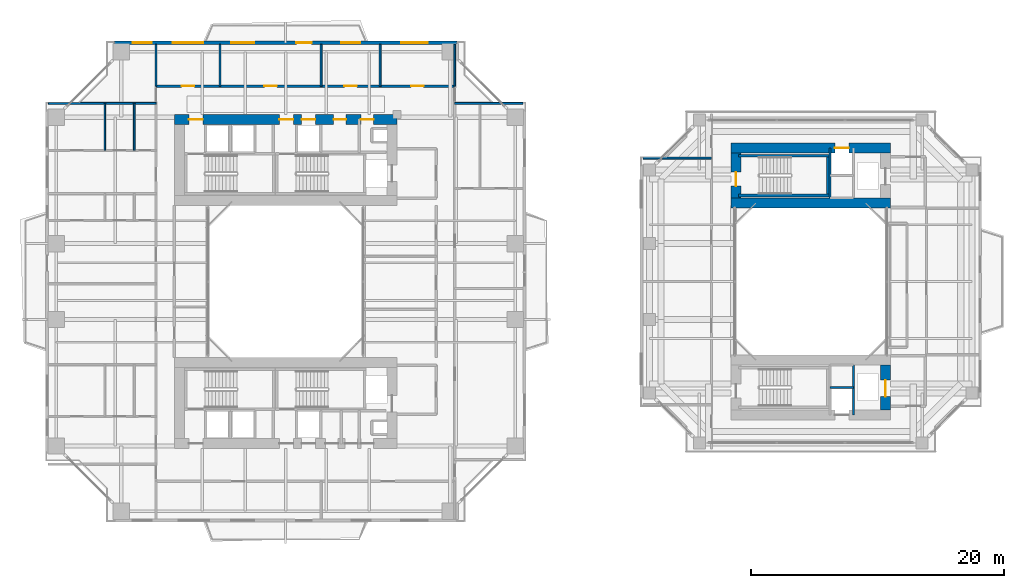
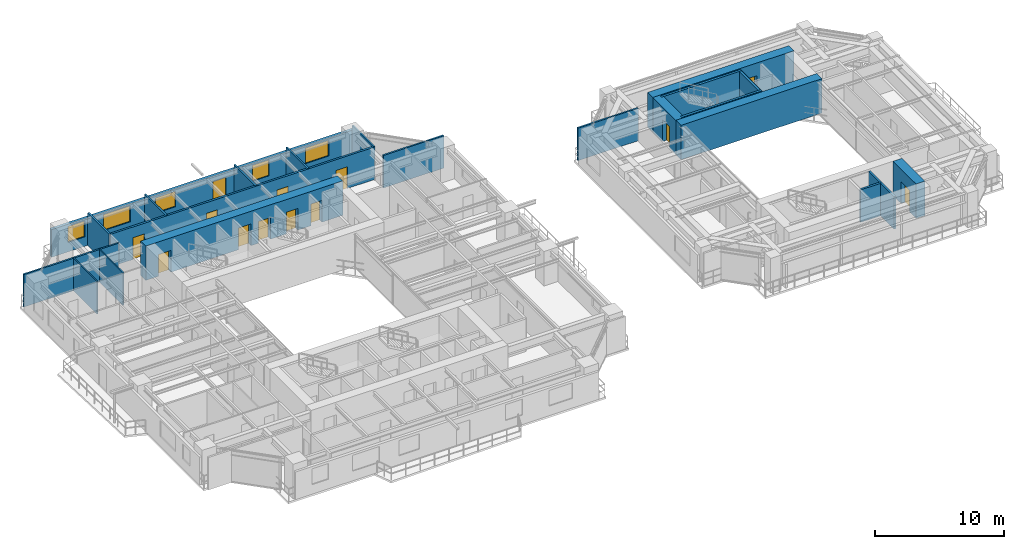
# One storey, part 17 of 23: 23 walls, 13 doors, 5 windows, 18 openings.
"""IFC4 building model written with IfcOpenShell, lengths in metres."""

import ifcopenshell
import ifcopenshell.guid

model = None  # the IFC model being written
_history = None  # IfcOwnerHistory: only IFC2X3 demands one
_inside = {}  # id of a spatial element -> (the spatial element, [elements in it])
_under = {}  # id of a project, library or spatial element -> (it, [spatial elements below it])
_declared = {}  # id of a project -> (the project, [libraries it declares])
_typed = {}  # id of a type object -> (the type object, [elements of that type])
_made_of = {}  # id of a material, layer set ... -> (it, [elements and type objects made of it])


def new_model(schema):
    """Start an empty IFC model of exactly this schema.

    Asked for "IFC4X3", IfcOpenShell would pick the latest addendum, in which some entities
    have other attributes; the version numbers below select the first issue.
    IFC2X3 requires an IfcOwnerHistory on every rooted entity: one is made here for all.
    """
    global model, _history
    if schema == "IFC4X3":
        model = ifcopenshell.file(schema_version=(4, 3, 0, 0))
    else:
        model = ifcopenshell.file(schema=schema)
    _inside.clear()
    _under.clear()
    _declared.clear()
    _typed.clear()
    _made_of.clear()
    _history = None
    if model.schema == "IFC2X3":
        org = make("IfcOrganization", Name="unknown")
        user = make(
            "IfcPersonAndOrganization",
            ThePerson=make("IfcPerson", FamilyName="unknown"),
            TheOrganization=org,
        )
        app = make(
            "IfcApplication",
            ApplicationDeveloper=org,
            Version="unknown",
            ApplicationFullName="unknown",
            ApplicationIdentifier="unknown",
        )
        _history = make(
            "IfcOwnerHistory",
            OwningUser=user,
            OwningApplication=app,
            ChangeAction="ADDED",
            CreationDate=0,
        )
    return model


def make(cls, **values):
    """One entity of the class cls with the attributes given. An attribute that is None is left unset."""
    return model.create_entity(
        cls, **{name: value for name, value in values.items() if value is not None}
    )


def rooted(cls, **values):
    """An entity with a GlobalId (a new one), such as an element, a storey or a relation."""
    return make(cls, GlobalId=ifcopenshell.guid.new(), OwnerHistory=_history, **values)


def si_unit(unit_type, name, prefix=None):
    """IfcSIUnit, for example si_unit("LENGTHUNIT", "METRE", prefix="MILLI")."""
    return make("IfcSIUnit", UnitType=unit_type, Prefix=prefix, Name=name)


def assignment(units):
    """IfcUnitAssignment: the units of a project."""
    return None if units is None else make("IfcUnitAssignment", Units=units)


def point(xyz):
    """IfcCartesianPoint."""
    return None if xyz is None else make("IfcCartesianPoint", Coordinates=xyz)


def direction(xyz):
    """IfcDirection."""
    return None if xyz is None else make("IfcDirection", DirectionRatios=xyz)


def frame(location, z_axis=None, x_axis=None):
    """IfcAxis2Placement3D, a coordinate frame: its origin and axes. An axis left out is left unset."""
    return make(
        "IfcAxis2Placement3D",
        Location=point(location),
        Axis=direction(z_axis),
        RefDirection=direction(x_axis),
    )


def frame_2d(location, x_axis=None):
    """IfcAxis2Placement2D, a coordinate frame in the plane: its origin and x axis."""
    return make(
        "IfcAxis2Placement2D", Location=point(location), RefDirection=direction(x_axis)
    )


def origin():
    """The frame at (0, 0, 0) with its axes left unset."""
    return frame((0.0, 0.0, 0.0))


def place(relative_to, where):
    """IfcLocalPlacement: puts the frame where relative to a parent placement (None: the world)."""
    return make(
        "IfcLocalPlacement", PlacementRelTo=relative_to, RelativePlacement=where
    )


def context(
    kind, dimensions, precision=None, world=None, true_north=None, identifier=None
):
    """IfcGeometricRepresentationContext, for example the 3D "Model" context."""
    return make(
        "IfcGeometricRepresentationContext",
        ContextIdentifier=identifier,
        ContextType=kind,
        CoordinateSpaceDimension=dimensions,
        Precision=precision,
        WorldCoordinateSystem=world,
        TrueNorth=true_north,
    )


def subcontext(parent, identifier, kind, view, scale=None):
    """IfcGeometricRepresentationSubContext, for example "Body" below "Model"."""
    return make(
        "IfcGeometricRepresentationSubContext",
        ContextIdentifier=identifier,
        ContextType=kind,
        ParentContext=parent,
        TargetScale=scale,
        TargetView=view,
    )


def project(units=None, contexts=None):
    """IfcProject with its units and contexts."""
    return rooted(
        "IfcProject",
        Name="project",
        RepresentationContexts=contexts,
        UnitsInContext=assignment(units),
    )


def spatial(cls, under=None, at=None, **own):
    """A site, building, storey or space (cls), placed at a placement, below another one or the project."""
    s = rooted(cls, ObjectPlacement=at, **own)
    if under is not None:
        _under.setdefault(under.id(), (under, []))[1].append(s)
    return s


def profile(cls, at=None, kind="AREA", **sizes):
    """A parametric profile (cls). Its sizes go by their IFC names, for example OverallWidth=200.0."""
    return make(cls, ProfileType=kind, Position=at, **sizes)


def rectangle(**sizes):
    """IfcRectangleProfileDef."""
    return profile("IfcRectangleProfileDef", **sizes)


def extrude(swept, where, along, depth):
    """IfcExtrudedAreaSolid: the profile swept, set in the frame where, extruded along a direction by depth."""
    return make(
        "IfcExtrudedAreaSolid",
        SweptArea=swept,
        Position=where,
        ExtrudedDirection=direction(along),
        Depth=depth,
    )


def shape(context_of_items, identifier, shape_type, items):
    """IfcShapeRepresentation: the items that make up one representation, for example the "Body"."""
    return make(
        "IfcShapeRepresentation",
        ContextOfItems=context_of_items,
        RepresentationIdentifier=identifier,
        RepresentationType=shape_type,
        Items=items,
    )


def source(mapping_origin, context_of_items, identifier, shape_type, items):
    """IfcRepresentationMap: a shape defined once, which mapped items show again and again."""
    return make(
        "IfcRepresentationMap",
        MappingOrigin=mapping_origin,
        MappedRepresentation=shape(context_of_items, identifier, shape_type, items),
    )


def transform(
    local_origin,
    x_axis=None,
    y_axis=None,
    z_axis=None,
    scale=None,
    scale2=None,
    scale3=None,
    uniform=True,
):
    """IfcCartesianTransformationOperator3D, or its non-uniform kind. x_axis, y_axis, z_axis: its Axis1, 2, 3."""
    if uniform:
        return make(
            "IfcCartesianTransformationOperator3D",
            Axis1=direction(x_axis),
            Axis2=direction(y_axis),
            LocalOrigin=point(local_origin),
            Scale=scale,
            Axis3=direction(z_axis),
        )
    return make(
        "IfcCartesianTransformationOperator3DnonUniform",
        Axis1=direction(x_axis),
        Axis2=direction(y_axis),
        LocalOrigin=point(local_origin),
        Scale=scale,
        Axis3=direction(z_axis),
        Scale2=scale2,
        Scale3=scale3,
    )


def mapped(mapping_source, mapping_target):
    """IfcMappedItem: shows the shape of a source again, moved by a transform."""
    return make(
        "IfcMappedItem", MappingSource=mapping_source, MappingTarget=mapping_target
    )


def material(Name=None, Category=None):
    """IfcMaterial."""
    return make("IfcMaterial", Name=Name, Category=Category)


def layer(
    of_material, thickness, ventilated=None, Name=None, Category=None, Priority=None
):
    """IfcMaterialLayer: one layer of a wall or slab, of a material (None: an air gap)."""
    return make(
        "IfcMaterialLayer",
        Material=of_material,
        LayerThickness=thickness,
        IsVentilated=ventilated,
        Name=Name,
        Category=Category,
        Priority=Priority,
    )


def layer_set(layers, Name=None):
    """IfcMaterialLayerSet."""
    return make("IfcMaterialLayerSet", MaterialLayers=layers, LayerSetName=Name)


def made_of(thing, what):
    """Note that an element or type object is made of a material, layer set ...; save() writes the relation."""
    if what is not None:
        _made_of.setdefault(what.id(), (what, []))[1].append(thing)
    return thing


def type_object(cls, material=None, **own):
    """A type object (cls), such as IfcWallType, which elements share."""
    return made_of(rooted(cls, **own), material)


def element(
    cls,
    number,
    at=None,
    inside=None,
    cuts=None,
    type_object=None,
    material=None,
    context=None,
    identifier="Body",
    shape_type=None,
    held_by="IfcProductDefinitionShape",
    body=None,
    shapes=None,
    **own,
):
    """One element of the class cls, such as IfcWall. Its Tag is "e" and its number.

    at: its placement. inside: the storey or other place that contains it. cuts: it is an
    opening in that element (IfcRelVoidsElement). A single representation is given by context,
    identifier, shape_type and body (its items); several are given by shapes. held_by: the class
    of the entity that holds the representations. save() writes the other relations.
    """
    e = rooted(cls, Tag="e%d" % number, ObjectPlacement=at, **own)
    if body is not None:
        shapes = [shape(context, identifier, shape_type, body)]
    if shapes is not None:
        e.Representation = make(held_by, Representations=shapes)
    if inside is not None:
        _inside.setdefault(inside.id(), (inside, []))[1].append(e)
    if cuts is not None:
        rooted(
            "IfcRelVoidsElement", RelatingBuildingElement=cuts, RelatedOpeningElement=e
        )
    if type_object is not None:
        _typed.setdefault(type_object.id(), (type_object, []))[1].append(e)
    return made_of(e, material)


def fill(opening, filler):
    """IfcRelFillsElement: the door or window that sits in an opening."""
    return rooted(
        "IfcRelFillsElement",
        RelatingOpeningElement=opening,
        RelatedBuildingElement=filler,
    )


def aggregate(whole, parts):
    """IfcRelAggregates: a whole, such as a stair, and the parts it consists of."""
    return rooted("IfcRelAggregates", RelatingObject=whole, RelatedObjects=parts)


def save(model, path):
    """Write the relations noted so far, then the file.

    IfcRelAggregates (storeys below a building ...), IfcRelContainedInSpatialStructure (elements
    in a storey), IfcRelDefinesByType, IfcRelAssociatesMaterial and IfcRelDeclares: one each for
    every whole, place, type object, material and project.
    """
    for whole, parts in _under.values():
        aggregate(whole, parts)
    for where, things in _inside.values():
        rooted(
            "IfcRelContainedInSpatialStructure",
            RelatedElements=things,
            RelatingStructure=where,
        )
    for kind, things in _typed.values():
        rooted("IfcRelDefinesByType", RelatedObjects=things, RelatingType=kind)
    for what, things in _made_of.values():
        rooted("IfcRelAssociatesMaterial", RelatedObjects=things, RelatingMaterial=what)
    for by, libraries in _declared.values():
        rooted("IfcRelDeclares", RelatingContext=by, RelatedDefinitions=libraries)
    model.write(path)


model = new_model("IFC4")

# Units and contexts
model_context = context("Model", 3, precision=1e-05, world=origin(), true_north=direction((0.0, 1.0)))
body_context = subcontext(model_context, "Body", "Model", "MODEL_VIEW")
ifc_project = project(units=[si_unit("LENGTHUNIT", "METRE"), si_unit("AREAUNIT", "SQUARE_METRE"), si_unit("VOLUMEUNIT", "CUBIC_METRE"), si_unit("PLANEANGLEUNIT", "RADIAN"), si_unit("MASSUNIT", "GRAM", prefix="KILO"), si_unit("THERMODYNAMICTEMPERATUREUNIT", "KELVIN"), si_unit("POWERUNIT", "WATT")], contexts=[model_context])

# Site, building, storey
site_placement = place(None, origin())
site = spatial("IfcSite", under=ifc_project, at=site_placement, CompositionType="ELEMENT")
building_placement = place(site_placement, origin())
building = spatial("IfcBuilding", under=site, at=building_placement, Name="Qiaomeng Ring Towers", CompositionType="ELEMENT")
storey_placement = place(building_placement, frame((0.0, 0.0, 66.5)))
storey = spatial("IfcBuildingStorey", under=building, at=storey_placement, Name="L18", CompositionType="ELEMENT", Elevation=66.5)

# Wall, openings, windows, door
ifc_material_1 = material(Name="Precast concrete C40", Category="concrete")
ifc_layer_1 = layer(ifc_material_1, 0.25, Name="Precast concrete C40")
ifc_layer_set_1 = layer_set([ifc_layer_1], Name="Precast concrete C40")
wall_type_1 = type_object("IfcWallType", Name="ARC-WL-EW1", PredefinedType="STANDARD", material=ifc_layer_set_1)
wall_1_placement = place(storey_placement, frame((5.449951171875, 41.875, 0.0), z_axis=(0.0, 0.0, 1.0), x_axis=(1.0, 0.0, 0.0)))
wall_1 = element("IfcWall", 1, at=wall_1_placement, inside=storey, type_object=wall_type_1, Name="L18 Tower 1 N Exterior Wall", PredefinedType="STANDARD", context=body_context, shape_type="SweptSolid", body=[
    extrude(rectangle(XDim=27.10009765625, YDim=0.25, at=frame_2d((13.550048828125, 0.0))), origin(), (0.0, 0.0, 1.0), 2.610107421875),
])
opening_1_placement = place(wall_1_placement, frame((14.39990234375, 0.0, 0.0)))
opening_1 = element("IfcOpeningElement", 2, at=opening_1_placement, cuts=wall_1, Name="Opening BD1", PredefinedType="OPENING", context=body_context, shape_type="SweptSolid", body=[
    extrude(rectangle(XDim=1.199951171875, YDim=2.10009765625, at=frame_2d((0.60009765625, 1.050048828125))), frame((0.0, 0.135009765625, 0.0), z_axis=(0.0, -1.0, 0.0), x_axis=(1.0, 0.0, 0.0)), (0.0, 0.0, 1.0), 0.27001953125),
])
opening_2_placement = place(wall_1_placement, frame((1.465087890625, 0.0, 0.89990234375)))
opening_2 = element("IfcOpeningElement", 3, at=opening_2_placement, cuts=wall_1, Name="Opening WN2", PredefinedType="OPENING", context=body_context, shape_type="SweptSolid", body=[
    extrude(rectangle(XDim=1.5, YDim=1.5, at=frame_2d((0.75, 0.75))), frame((0.0, 0.135009765625, 0.0), z_axis=(0.0, -1.0, 0.0), x_axis=(1.0, 0.0, 0.0)), (0.0, 0.0, 1.0), 0.27001953125),
])
opening_3_placement = place(wall_1_placement, frame((9.262939453125, 0.0, 0.89990234375)))
opening_3 = element("IfcOpeningElement", 4, at=opening_3_placement, cuts=wall_1, Name="Opening WN1", PredefinedType="OPENING", context=body_context, shape_type="SweptSolid", body=[
    extrude(rectangle(XDim=1.800048828125, YDim=1.449951171875, at=frame_2d((0.89990234375, 0.72509765625))), frame((0.0, 0.135009765625, 0.0), z_axis=(0.0, -1.0, 0.0), x_axis=(1.0, 0.0, 0.0)), (0.0, 0.0, 1.0), 0.27001953125),
])
opening_4_placement = place(wall_1_placement, frame((17.929931640625, 0.0, 0.89990234375)))
opening_4 = element("IfcOpeningElement", 5, at=opening_4_placement, cuts=wall_1, Name="Opening WN2", PredefinedType="OPENING", context=body_context, shape_type="SweptSolid", body=[
    extrude(rectangle(XDim=1.5, YDim=1.5, at=frame_2d((0.75, 0.75))), frame((0.0, 0.135009765625, 0.0), z_axis=(0.0, -1.0, 0.0), x_axis=(1.0, 0.0, 0.0)), (0.0, 0.0, 1.0), 0.27001953125),
])
opening_5_placement = place(wall_1_placement, frame((22.6630859375, 0.0, 0.89990234375)))
opening_5 = element("IfcOpeningElement", 6, at=opening_5_placement, cuts=wall_1, Name="Opening WN4", PredefinedType="OPENING", context=body_context, shape_type="SweptSolid", body=[
    extrude(rectangle(XDim=2.10009765625, YDim=1.47998046875, at=frame_2d((1.050048828125, 0.739990234375))), frame((0.0, 0.135009765625, 0.0), z_axis=(0.0, -1.0, 0.0), x_axis=(1.0, 0.0, 0.0)), (0.0, 0.0, 1.0), 0.27001953125),
])
opening_6_placement = place(wall_1_placement, frame((4.6298828125, 0.0, 0.89990234375)))
opening_6 = element("IfcOpeningElement", 7, at=opening_6_placement, cuts=wall_1, Name="Opening WN6", PredefinedType="OPENING", context=body_context, shape_type="SweptSolid", body=[
    extrude(rectangle(XDim=2.39990234375, YDim=1.5, at=frame_2d((1.199951171875, 0.75))), frame((0.0, 0.135009765625, 0.0), z_axis=(0.0, -1.0, 0.0), x_axis=(1.0, 0.0, 0.0)), (0.0, 0.0, 1.0), 0.27001953125),
])
ifc_material_2 = material(Name="Low-E dark-grey laminated double glazing", Category="glass")
window_type_1 = type_object("IfcWindowType", Name="ARC-WN-4", PartitioningType="TRIPLE_PANEL_VERTICAL", PredefinedType="WINDOW", material=ifc_material_2)
shared_shape_1 = source(origin(), body_context, "Body", "SweptSolid", [
    extrude(rectangle(XDim=2.10009765625, YDim=1.47998046875, at=frame_2d((1.050048828125, 0.739990234375))), frame((0.0, 0.030029296875, 0.0), z_axis=(0.0, -1.0, 0.0), x_axis=(1.0, 0.0, 0.0)), (0.0, 0.0, 1.0), 0.06005859375),
])
window_1_placement = place(opening_5_placement, origin())
window_1 = element("IfcWindow", 8, at=window_1_placement, inside=storey, type_object=window_type_1, Name="L18 Exterior Window WN4", OverallHeight=1.47998046875, OverallWidth=2.10009765625, PartitioningType="TRIPLE_PANEL_VERTICAL", PredefinedType="WINDOW", context=body_context, shape_type="MappedRepresentation", body=[
    mapped(shared_shape_1, transform((0.0, 0.0, 0.0), x_axis=(1.0, 0.0, 0.0), y_axis=(0.0, 1.0, 0.0), z_axis=(0.0, 0.0, 1.0), scale=1.0)),
])
fill(opening_5, window_1)
window_type_2 = type_object("IfcWindowType", Name="ARC-WN-1", PartitioningType="DOUBLE_PANEL_VERTICAL", PredefinedType="WINDOW", material=ifc_material_2)
shared_shape_2 = source(origin(), body_context, "Body", "SweptSolid", [
    extrude(rectangle(XDim=1.800048828125, YDim=1.449951171875, at=frame_2d((0.89990234375, 0.72509765625))), frame((0.0, 0.030029296875, 0.0), z_axis=(0.0, -1.0, 0.0), x_axis=(1.0, 0.0, 0.0)), (0.0, 0.0, 1.0), 0.06005859375),
])
window_2_placement = place(opening_3_placement, origin())
window_2 = element("IfcWindow", 9, at=window_2_placement, inside=storey, type_object=window_type_2, Name="L18 Exterior Window WN1", OverallHeight=1.449951171875, OverallWidth=1.800048828125, PartitioningType="DOUBLE_PANEL_VERTICAL", PredefinedType="WINDOW", context=body_context, shape_type="MappedRepresentation", body=[
    mapped(shared_shape_2, transform((0.0, 0.0, 0.0), x_axis=(1.0, 0.0, 0.0), y_axis=(0.0, 1.0, 0.0), z_axis=(0.0, 0.0, 1.0), scale=1.0)),
])
fill(opening_3, window_2)
door_type_1 = type_object("IfcDoorType", Name="ARC-DR-BD1", OperationType="NOTDEFINED", PredefinedType="DOOR", material=ifc_material_2)
shared_shape_3 = source(origin(), body_context, "Body", "SweptSolid", [
    extrude(rectangle(XDim=1.199951171875, YDim=2.10009765625, at=frame_2d((0.60009765625, 1.050048828125))), frame((0.0, 0.02490234375, 0.0), z_axis=(0.0, -1.0, 0.0), x_axis=(1.0, 0.0, 0.0)), (0.0, 0.0, 1.0), 0.050048828125),
])
door_1_placement = place(opening_1_placement, origin())
door_1 = element("IfcDoor", 10, at=door_1_placement, inside=storey, type_object=door_type_1, Name="L18 N Balcony Glazed Door", OperationType="SINGLE_SWING_LEFT", OverallHeight=2.10009765625, OverallWidth=1.199951171875, PredefinedType="DOOR", context=body_context, shape_type="MappedRepresentation", body=[
    mapped(shared_shape_3, transform((0.0, 0.0, 0.0), x_axis=(1.0, 0.0, 0.0), y_axis=(0.0, 1.0, 0.0), z_axis=(0.0, 0.0, 1.0), scale=1.0)),
])
fill(opening_1, door_1)
window_type_3 = type_object("IfcWindowType", Name="ARC-WN-2", PartitioningType="DOUBLE_PANEL_VERTICAL", PredefinedType="WINDOW", material=ifc_material_2)
shared_shape_4 = source(origin(), body_context, "Body", "SweptSolid", [
    extrude(rectangle(XDim=1.5, YDim=1.5, at=frame_2d((0.75, 0.75))), frame((0.0, 0.030029296875, 0.0), z_axis=(0.0, -1.0, 0.0), x_axis=(1.0, 0.0, 0.0)), (0.0, 0.0, 1.0), 0.06005859375),
])
window_3_placement = place(opening_2_placement, origin())
window_3 = element("IfcWindow", 11, at=window_3_placement, inside=storey, type_object=window_type_3, Name="L18 Exterior Window WN6", OverallHeight=1.5, OverallWidth=1.5, PartitioningType="TRIPLE_PANEL_VERTICAL", PredefinedType="WINDOW", context=body_context, shape_type="MappedRepresentation", body=[
    mapped(shared_shape_4, transform((0.0, 0.0, 0.0), x_axis=(1.0, 0.0, 0.0), y_axis=(0.0, 1.0, 0.0), z_axis=(0.0, 0.0, 1.0), scale=1.0)),
])
fill(opening_2, window_3)
window_4_placement = place(opening_4_placement, origin())
window_4 = element("IfcWindow", 12, at=window_4_placement, inside=storey, type_object=window_type_3, Name="L18 Exterior Window WN2", OverallHeight=1.5, OverallWidth=1.5, PartitioningType="DOUBLE_PANEL_VERTICAL", PredefinedType="WINDOW", context=body_context, shape_type="MappedRepresentation", body=[
    mapped(shared_shape_4, transform((0.0, 0.0, 0.0), x_axis=(1.0, 0.0, 0.0), y_axis=(0.0, 1.0, 0.0), z_axis=(0.0, 0.0, 1.0), scale=1.0)),
])
fill(opening_4, window_4)
window_type_4 = type_object("IfcWindowType", Name="ARC-WN-6", PartitioningType="TRIPLE_PANEL_VERTICAL", PredefinedType="WINDOW", material=ifc_material_2)
shared_shape_5 = source(origin(), body_context, "Body", "SweptSolid", [
    extrude(rectangle(XDim=2.39990234375, YDim=1.5, at=frame_2d((1.199951171875, 0.75))), frame((0.0, 0.030029296875, 0.0), z_axis=(0.0, -1.0, 0.0), x_axis=(1.0, 0.0, 0.0)), (0.0, 0.0, 1.0), 0.06005859375),
])
window_5_placement = place(opening_6_placement, origin())
window_5 = element("IfcWindow", 13, at=window_5_placement, inside=storey, type_object=window_type_4, Name="L18 Exterior Window WN6", OverallHeight=1.5, OverallWidth=2.39990234375, PartitioningType="TRIPLE_PANEL_VERTICAL", PredefinedType="WINDOW", context=body_context, shape_type="MappedRepresentation", body=[
    mapped(shared_shape_5, transform((0.0, 0.0, 0.0), x_axis=(1.0, 0.0, 0.0), y_axis=(0.0, 1.0, 0.0), z_axis=(0.0, 0.0, 1.0), scale=1.0)),
])
fill(opening_6, window_5)

# Wall, openings, doors
ifc_material_3 = material(Name="Autoclaved aerated concrete block", Category="concrete")
ifc_layer_2 = layer(ifc_material_3, 0.179931640625, Name="Autoclaved aerated concrete block")
ifc_layer_set_2 = layer_set([ifc_layer_2], Name="Autoclaved aerated concrete block")
wall_type_2 = type_object("IfcWallType", Name="ARC-WL-PW2", PredefinedType="PARTITIONING", material=ifc_layer_set_2)
wall_2_placement = place(storey_placement, frame((8.75, 38.43994140625, 0.0), z_axis=(0.0, 0.0, 1.0), x_axis=(1.0, 0.0, 0.0)))
wall_2 = element("IfcWall", 14, at=wall_2_placement, inside=storey, type_object=wall_type_2, Name="L18 Interior Wall PW2", PredefinedType="PARTITIONING", context=body_context, shape_type="SweptSolid", body=[
    extrude(rectangle(XDim=23.610107421875, YDim=0.179931640625, at=frame_2d((11.80517578125, 0.0))), origin(), (0.0, 0.0, 1.0), 3.070068359375),
])
opening_7_placement = place(wall_2_placement, frame((2.030029296875, 0.0, 0.0)))
opening_7 = element("IfcOpeningElement", 15, at=opening_7_placement, cuts=wall_2, Name="Opening FD4", PredefinedType="OPENING", context=body_context, shape_type="SweptSolid", body=[
    extrude(rectangle(XDim=1.0, YDim=2.050048828125, at=frame_2d((0.5, 1.02490234375))), frame((0.0, 0.099853515625, 0.0), z_axis=(0.0, -1.0, 0.0), x_axis=(1.0, 0.0, 0.0)), (0.0, 0.0, 1.0), 0.199951171875),
])
opening_8_placement = place(wall_2_placement, frame((8.554931640625, 0.0, 0.0)))
opening_8 = element("IfcOpeningElement", 16, at=opening_8_placement, cuts=wall_2, Name="Opening FD4", PredefinedType="OPENING", context=body_context, shape_type="SweptSolid", body=[
    extrude(rectangle(XDim=1.0, YDim=2.050048828125, at=frame_2d((0.5, 1.02490234375))), frame((0.0, 0.099853515625, 0.0), z_axis=(0.0, -1.0, 0.0), x_axis=(1.0, 0.0, 0.0)), (0.0, 0.0, 1.0), 0.199951171875),
])
opening_9_placement = place(wall_2_placement, frame((14.8798828125, 0.0, 0.0)))
opening_9 = element("IfcOpeningElement", 17, at=opening_9_placement, cuts=wall_2, Name="Opening FD4", PredefinedType="OPENING", context=body_context, shape_type="SweptSolid", body=[
    extrude(rectangle(XDim=1.0, YDim=2.050048828125, at=frame_2d((0.5, 1.02490234375))), frame((0.0, 0.099853515625, 0.0), z_axis=(0.0, -1.0, 0.0), x_axis=(1.0, 0.0, 0.0)), (0.0, 0.0, 1.0), 0.199951171875),
])
opening_10_placement = place(wall_2_placement, frame((20.159912109375, 0.0, 0.0)))
opening_10 = element("IfcOpeningElement", 18, at=opening_10_placement, cuts=wall_2, Name="Opening FD4", PredefinedType="OPENING", context=body_context, shape_type="SweptSolid", body=[
    extrude(rectangle(XDim=1.0, YDim=2.050048828125, at=frame_2d((0.5, 1.02490234375))), frame((0.0, 0.099853515625, 0.0), z_axis=(0.0, -1.0, 0.0), x_axis=(1.0, 0.0, 0.0)), (0.0, 0.0, 1.0), 0.199951171875),
])
ifc_material_4 = material(Name="Engineered fire-rated oak timber", Category="wood")
door_type_2 = type_object("IfcDoorType", Name="ARC-DR-FD4", OperationType="NOTDEFINED", PredefinedType="DOOR", material=ifc_material_4)
shared_shape_6 = source(origin(), body_context, "Body", "SweptSolid", [
    extrude(rectangle(XDim=1.0, YDim=2.050048828125, at=frame_2d((0.5, 1.02490234375))), frame((0.0, 0.02490234375, 0.0), z_axis=(0.0, -1.0, 0.0), x_axis=(1.0, 0.0, 0.0)), (0.0, 0.0, 1.0), 0.050048828125),
])
door_2_placement = place(opening_7_placement, origin())
door_2 = element("IfcDoor", 19, at=door_2_placement, inside=storey, type_object=door_type_2, Name="L18 Door FD4", OperationType="SINGLE_SWING_RIGHT", OverallHeight=2.050048828125, OverallWidth=1.0, PredefinedType="DOOR", context=body_context, shape_type="MappedRepresentation", body=[
    mapped(shared_shape_6, transform((0.0, 0.0, 0.0), x_axis=(1.0, 0.0, 0.0), y_axis=(0.0, 1.0, 0.0), z_axis=(0.0, 0.0, 1.0), scale=1.0)),
])
fill(opening_7, door_2)
door_3_placement = place(opening_8_placement, origin())
door_3 = element("IfcDoor", 20, at=door_3_placement, inside=storey, type_object=door_type_2, Name="L18 Door FD4", OperationType="SINGLE_SWING_LEFT", OverallHeight=2.050048828125, OverallWidth=1.0, PredefinedType="DOOR", context=body_context, shape_type="MappedRepresentation", body=[
    mapped(shared_shape_6, transform((0.0, 0.0, 0.0), x_axis=(1.0, 0.0, 0.0), y_axis=(0.0, 1.0, 0.0), z_axis=(0.0, 0.0, 1.0), scale=1.0)),
])
fill(opening_8, door_3)
door_4_placement = place(opening_9_placement, origin())
door_4 = element("IfcDoor", 21, at=door_4_placement, inside=storey, type_object=door_type_2, Name="L18 Door FD4", OperationType="SINGLE_SWING_RIGHT", OverallHeight=2.050048828125, OverallWidth=1.0, PredefinedType="DOOR", context=body_context, shape_type="MappedRepresentation", body=[
    mapped(shared_shape_6, transform((0.0, 0.0, 0.0), x_axis=(1.0, 0.0, 0.0), y_axis=(0.0, 1.0, 0.0), z_axis=(0.0, 0.0, 1.0), scale=1.0)),
])
fill(opening_9, door_4)
door_5_placement = place(opening_10_placement, origin())
door_5 = element("IfcDoor", 22, at=door_5_placement, inside=storey, type_object=door_type_2, Name="L18 Door FD4", OperationType="SINGLE_SWING_LEFT", OverallHeight=2.050048828125, OverallWidth=1.0, PredefinedType="DOOR", context=body_context, shape_type="MappedRepresentation", body=[
    mapped(shared_shape_6, transform((0.0, 0.0, 0.0), x_axis=(1.0, 0.0, 0.0), y_axis=(0.0, 1.0, 0.0), z_axis=(0.0, 0.0, 1.0), scale=1.0)),
])
fill(opening_10, door_5)

# Walls
ifc_material_5 = material(Name="Gypsum fireboard steel-stud partition", Category="steel")
ifc_layer_3 = layer(ifc_material_5, 0.14990234375, Name="Gypsum fireboard steel-stud partition")
ifc_layer_set_3 = layer_set([ifc_layer_3], Name="Gypsum fireboard steel-stud partition")
wall_type_3 = type_object("IfcWallType", Name="ARC-WL-PW3", PredefinedType="PARTITIONING", material=ifc_layer_set_3)
for number, where, z_axis, x_axis, name in (
    (23, (13.81005859375, 38.43994140625, 0.0), (0.0, 0.0, 1.0), (0.0, 1.0, 0.0), "L18 Interior Wall PW3"),
    (24, (21.800048828125, 38.43994140625, 0.0), (0.0, 0.0, 1.0), (0.0, 1.0, 0.0), "L18 Interior Wall PW3"),
    (25, (26.4599609375, 38.43994140625, 0.0), (0.0, 0.0, 1.0), (0.0, 1.0, 0.0), "L18 Interior Wall PW3"),
    (26, (8.75, 38.43994140625, 0.0), (0.0, 0.0, 1.0), (0.0, 1.0, 0.0), "L18 Interior Wall PW3"),
    (27, (32.360107421875, 38.43994140625, 0.0), (0.0, 0.0, 1.0), (0.0, 1.0, 0.0), "L18 Interior Wall PW3"),
):
    element("IfcWall", number, at=place(storey_placement, frame(where, z_axis=z_axis, x_axis=x_axis)), inside=storey, type_object=wall_type_3, Name=name, PredefinedType="PARTITIONING", context=body_context, shape_type="SweptSolid", body=[
        extrude(rectangle(XDim=3.31005859375, YDim=0.14990234375, at=frame_2d((1.655029296875, 0.0))), origin(), (0.0, 0.0, 1.0), 3.070068359375),
    ])
wall_3_placement = place(storey_placement, frame((0.25, 37.080078125, 0.0), z_axis=(0.0, 0.0, 1.0), x_axis=(1.0, 0.0, 0.0)))
element("IfcWall", 28, at=wall_3_placement, inside=storey, type_object=wall_type_3, Name="L18 Interior Wall PW3", PredefinedType="PARTITIONING", context=body_context, shape_type="SweptSolid", body=[
    extrude(rectangle(XDim=8.5, YDim=0.14990234375, at=frame_2d((4.25, 0.0))), origin(), (0.0, 0.0, 1.0), 3.070068359375),
])
wall_4_placement = place(storey_placement, frame((32.360107421875, 37.080078125, 0.0), z_axis=(0.0, 0.0, 1.0), x_axis=(1.0, 0.0, 0.0)))
element("IfcWall", 29, at=wall_4_placement, inside=storey, type_object=wall_type_3, Name="L18 Interior Wall PW3", PredefinedType="PARTITIONING", context=body_context, shape_type="SweptSolid", body=[
    extrude(rectangle(XDim=5.389892578125, YDim=0.14990234375, at=frame_2d((2.69482421875, 0.0))), origin(), (0.0, 0.0, 1.0), 3.070068359375),
])
wall_5_placement = place(storey_placement, frame((47.25, 32.75, 0.0), z_axis=(0.0, 0.0, 1.0), x_axis=(1.0, 0.0, 0.0)))
element("IfcWall", 30, at=wall_5_placement, inside=storey, type_object=wall_type_3, Name="L18 Interior Wall PW3", PredefinedType="PARTITIONING", context=body_context, shape_type="SweptSolid", body=[
    extrude(rectangle(XDim=5.39990234375, YDim=0.14990234375, at=frame_2d((2.699951171875, 0.0))), origin(), (0.0, 0.0, 1.0), 3.070068359375),
])
ifc_material_6 = material(Name="Moisture-resistant gypsum steel-stud partition", Category="steel")
ifc_layer_4 = layer(ifc_material_6, 0.1201171875, Name="Moisture-resistant gypsum steel-stud partition")
ifc_layer_set_4 = layer_set([ifc_layer_4], Name="Moisture-resistant gypsum steel-stud partition")
wall_type_4 = type_object("IfcWallType", Name="ARC-WL-PW4", PredefinedType="PLUMBINGWALL", material=ifc_layer_set_4)
for number, where, z_axis, x_axis, name in (
    (31, (4.7099609375, 33.3701171875, 0.0), (0.0, 0.0, 1.0), (0.0, 1.0, 0.0), "L18 Interior Wall PW4"),
    (32, (7.030029296875, 33.3701171875, 0.0), (0.0, 0.0, 1.0), (0.0, 1.0, 0.0), "L18 Interior Wall PW4"),
):
    element("IfcWall", number, at=place(storey_placement, frame(where, z_axis=z_axis, x_axis=x_axis)), inside=storey, type_object=wall_type_4, Name=name, PredefinedType="PLUMBINGWALL", context=body_context, shape_type="SweptSolid", body=[
        extrude(rectangle(XDim=3.7099609375, YDim=0.1201171875, at=frame_2d((1.85498046875, 0.0))), origin(), (0.0, 0.0, 1.0), 3.070068359375),
    ])
ifc_material_7 = material(Name="Concrete C40", Category="concrete")
ifc_layer_5 = layer(ifc_material_7, 0.199951171875, Name="Concrete C40")
ifc_layer_set_5 = layer_set([ifc_layer_5], Name="Concrete C40")
wall_type_5 = type_object("IfcWallType", Name="STR-WL-STSHAFT", PredefinedType="SHEAR", material=ifc_layer_set_5)
for number, where, z_axis, x_axis, name in (
    (33, (62.02001953125, 29.60009765625, 0.0), (0.0, 0.0, 1.0), (0.0, 1.0, 0.0), "L18 Companion Lift Shaft West Wall N"),
    (34, (63.8798828125, 12.449951171875, 0.0), (0.0, 0.0, 1.0), (0.0, 1.0, 0.0), "L18 Companion Lift Shaft East Wall S"),
):
    element("IfcWall", number, at=place(storey_placement, frame(where, z_axis=z_axis, x_axis=x_axis)), inside=storey, type_object=wall_type_5, Name=name, PredefinedType="SHEAR", context=body_context, shape_type="SweptSolid", body=[
        extrude(rectangle(XDim=3.949951171875, YDim=0.179931640625, at=frame_2d((1.97509765625, 0.0))), origin(), (0.0, 0.0, 1.0), 3.070068359375),
    ])
wall_6_placement = place(storey_placement, frame((62.02001953125, 14.6201171875, 0.0), z_axis=(0.0, 0.0, 1.0), x_axis=(1.0, 0.0, 0.0)))
element("IfcWall", 35, at=wall_6_placement, inside=storey, type_object=wall_type_5, Name="L18 Companion Lift Shaft Divider Wall S", PredefinedType="SHEAR", context=body_context, shape_type="SweptSolid", body=[
    extrude(rectangle(XDim=1.85986328125, YDim=0.179931640625, at=frame_2d((0.929931640625, 0.0))), origin(), (0.0, 0.0, 1.0), 3.070068359375),
])
for number, where, z_axis, x_axis, name in (
    (36, (54.800048828125, 29.800048828125, 0.0), (0.0, 0.0, 1.0), (1.0, 0.0, 0.0), "L18 Stair ST5 South Shaft Shear Wall"),
    (37, (54.800048828125, 32.93994140625, 0.0), (0.0, 0.0, 1.0), (1.0, 0.0, 0.0), "L18 Stair ST5 North Shaft Shear Wall"),
):
    element("IfcWall", number, at=place(storey_placement, frame(where, z_axis=z_axis, x_axis=x_axis)), inside=storey, type_object=wall_type_5, Name=name, PredefinedType="SHEAR", context=body_context, shape_type="SweptSolid", body=[
        extrude(rectangle(XDim=7.14990234375, YDim=0.199951171875, at=frame_2d((3.574951171875, 0.0))), origin(), (0.0, 0.0, 1.0), 3.25),
    ])
wall_7_placement = place(storey_placement, frame((61.85009765625, 29.89990234375, 0.0), z_axis=(0.0, 0.0, 1.0), x_axis=(0.0, 1.0, 0.0)))
element("IfcWall", 38, at=wall_7_placement, inside=storey, type_object=wall_type_5, Name="L18 Stair ST5 East Shaft Shear Wall", PredefinedType="SHEAR", context=body_context, shape_type="SweptSolid", body=[
    extrude(rectangle(XDim=2.940185546875, YDim=0.199951171875, at=frame_2d((1.47021484375, 0.0))), origin(), (0.0, 0.0, 1.0), 3.25),
])

# Wall, openings, doors
ifc_material_8 = material(Name="Concrete C60", Category="concrete")
ifc_layer_6 = layer(ifc_material_8, 0.800048828125, Name="Concrete C60")
ifc_layer_set_6 = layer_set([ifc_layer_6], Name="Concrete C60")
wall_type_6 = type_object("IfcWallType", Name="STR-WL-SW1", PredefinedType="SHEAR", material=ifc_layer_set_6)
wall_8_placement = place(storey_placement, frame((10.199951171875, 35.800048828125, 0.0), z_axis=(0.0, 0.0, 1.0), x_axis=(1.0, 0.0, 0.0)))
wall_8 = element("IfcWall", 39, at=wall_8_placement, inside=storey, type_object=wall_type_6, Name="L18 T1NC north core shear wall", PredefinedType="SHEAR", context=body_context, shape_type="SweptSolid", body=[
    extrude(rectangle(XDim=17.60009765625, YDim=0.800048828125, at=frame_2d((8.800048828125, 0.0))), origin(), (0.0, 0.0, 1.0), 3.25),
])
opening_11_placement = place(wall_8_placement, frame((1.14990234375, 0.0, 0.0)))
opening_11 = element("IfcOpeningElement", 40, at=opening_11_placement, cuts=wall_8, Name="Opening FD3", PredefinedType="OPENING", context=body_context, shape_type="SweptSolid", body=[
    extrude(rectangle(XDim=1.10009765625, YDim=2.050048828125, at=frame_2d((0.550048828125, 1.02490234375))), frame((0.0, 0.409912109375, 0.0), z_axis=(0.0, -1.0, 0.0), x_axis=(1.0, 0.0, 0.0)), (0.0, 0.0, 1.0), 0.820068359375),
])
opening_12_placement = place(wall_8_placement, frame((8.300048828125, 0.0, 0.0)))
opening_12 = element("IfcOpeningElement", 41, at=opening_12_placement, cuts=wall_8, Name="Opening FD3", PredefinedType="OPENING", context=body_context, shape_type="SweptSolid", body=[
    extrude(rectangle(XDim=1.10009765625, YDim=2.050048828125, at=frame_2d((0.550048828125, 1.02490234375))), frame((0.0, 0.409912109375, 0.0), z_axis=(0.0, -1.0, 0.0), x_axis=(1.0, 0.0, 0.0)), (0.0, 0.0, 1.0), 0.820068359375),
])
opening_13_placement = place(wall_8_placement, frame((10.050048828125, 0.0, 0.0)))
opening_13 = element("IfcOpeningElement", 42, at=opening_13_placement, cuts=wall_8, Name="Opening LD1", PredefinedType="OPENING", context=body_context, shape_type="SweptSolid", body=[
    extrude(rectangle(XDim=1.10009765625, YDim=2.050048828125, at=frame_2d((0.550048828125, 1.02490234375))), frame((0.0, 0.409912109375, 0.0), z_axis=(0.0, -1.0, 0.0), x_axis=(1.0, 0.0, 0.0)), (0.0, 0.0, 1.0), 0.820068359375),
])
opening_14_placement = place(wall_8_placement, frame((14.739990234375, 0.0, 0.0)))
opening_14 = element("IfcOpeningElement", 43, at=opening_14_placement, cuts=wall_8, Name="Opening FD1", PredefinedType="OPENING", context=body_context, shape_type="SweptSolid", body=[
    extrude(rectangle(XDim=1.0, YDim=2.050048828125, at=frame_2d((0.5, 1.02490234375))), frame((0.0, 0.409912109375, 0.0), z_axis=(0.0, -1.0, 0.0), x_axis=(1.0, 0.0, 0.0)), (0.0, 0.0, 1.0), 0.820068359375),
])
opening_15_placement = place(wall_8_placement, frame((12.5849609375, 0.0, 0.0)))
opening_15 = element("IfcOpeningElement", 44, at=opening_15_placement, cuts=wall_8, Name="Opening FD1", PredefinedType="OPENING", context=body_context, shape_type="SweptSolid", body=[
    extrude(rectangle(XDim=1.0, YDim=2.050048828125, at=frame_2d((0.5, 1.02490234375))), frame((0.0, 0.409912109375, 0.0), z_axis=(0.0, -1.0, 0.0), x_axis=(1.0, 0.0, 0.0)), (0.0, 0.0, 1.0), 0.820068359375),
])
ifc_material_9 = material(Name="Galvanised steel", Category="steel")
door_type_3 = type_object("IfcDoorType", Name="ARC-DR-FD3", OperationType="NOTDEFINED", PredefinedType="DOOR", material=ifc_material_9)
shared_shape_7 = source(origin(), body_context, "Body", "SweptSolid", [
    extrude(rectangle(XDim=1.10009765625, YDim=2.050048828125, at=frame_2d((0.550048828125, 1.02490234375))), frame((0.0, 0.02490234375, 0.0), z_axis=(0.0, -1.0, 0.0), x_axis=(1.0, 0.0, 0.0)), (0.0, 0.0, 1.0), 0.050048828125),
])
door_6_placement = place(opening_11_placement, origin())
door_6 = element("IfcDoor", 45, at=door_6_placement, inside=storey, type_object=door_type_3, Name="L18 Stair ST1 Lobby Door", OperationType="SINGLE_SWING_LEFT", OverallHeight=2.050048828125, OverallWidth=1.10009765625, PredefinedType="DOOR", context=body_context, shape_type="MappedRepresentation", body=[
    mapped(shared_shape_7, transform((0.0, 0.0, 0.0), x_axis=(1.0, 0.0, 0.0), y_axis=(0.0, 1.0, 0.0), z_axis=(0.0, 0.0, 1.0), scale=1.0)),
])
fill(opening_11, door_6)
door_7_placement = place(opening_12_placement, origin())
door_7 = element("IfcDoor", 46, at=door_7_placement, inside=storey, type_object=door_type_3, Name="L18 Stair ST2 Lobby Door", OperationType="SINGLE_SWING_LEFT", OverallHeight=2.050048828125, OverallWidth=1.10009765625, PredefinedType="DOOR", context=body_context, shape_type="MappedRepresentation", body=[
    mapped(shared_shape_7, transform((0.0, 0.0, 0.0), x_axis=(1.0, 0.0, 0.0), y_axis=(0.0, 1.0, 0.0), z_axis=(0.0, 0.0, 1.0), scale=1.0)),
])
fill(opening_12, door_7)
ifc_material_10 = material(Name="Stainless steel 316", Category="steel")
door_type_4 = type_object("IfcDoorType", Name="ARC-DR-LD1", OperationType="NOTDEFINED", PredefinedType="DOOR", material=ifc_material_10)
door_8_placement = place(opening_13_placement, origin())
door_8 = element("IfcDoor", 47, at=door_8_placement, inside=storey, type_object=door_type_4, Name="L18 Low-Zone Lift LP1 Landing Door", OperationType="SLIDING_TO_LEFT", OverallHeight=2.050048828125, OverallWidth=1.10009765625, PredefinedType="DOOR", context=body_context, shape_type="MappedRepresentation", body=[
    mapped(shared_shape_7, transform((0.0, 0.0, 0.0), x_axis=(1.0, 0.0, 0.0), y_axis=(0.0, 1.0, 0.0), z_axis=(0.0, 0.0, 1.0), scale=1.0)),
])
fill(opening_13, door_8)
door_type_5 = type_object("IfcDoorType", Name="ARC-DR-FD1", OperationType="NOTDEFINED", PredefinedType="DOOR", material=ifc_material_9)
door_9_placement = place(opening_14_placement, origin())
door_9 = element("IfcDoor", 48, at=door_9_placement, inside=storey, type_object=door_type_5, Name="L18 North Electrical Riser Door", OperationType="SINGLE_SWING_LEFT", OverallHeight=2.050048828125, OverallWidth=1.0, PredefinedType="DOOR", context=body_context, shape_type="MappedRepresentation", body=[
    mapped(shared_shape_6, transform((0.0, 0.0, 0.0), x_axis=(1.0, 0.0, 0.0), y_axis=(0.0, 1.0, 0.0), z_axis=(0.0, 0.0, 1.0), scale=1.0)),
])
fill(opening_14, door_9)
door_10_placement = place(opening_15_placement, origin())
door_10 = element("IfcDoor", 49, at=door_10_placement, inside=storey, type_object=door_type_5, Name="L18 North Cleaners Store Door", OperationType="SINGLE_SWING_LEFT", OverallHeight=2.050048828125, OverallWidth=1.0, PredefinedType="DOOR", context=body_context, shape_type="MappedRepresentation", body=[
    mapped(shared_shape_6, transform((0.0, 0.0, 0.0), x_axis=(1.0, 0.0, 0.0), y_axis=(0.0, 1.0, 0.0), z_axis=(0.0, 0.0, 1.0), scale=1.0)),
])
fill(opening_15, door_10)

# Wall
wall_9_placement = place(storey_placement, frame((54.199951171875, 29.199951171875, 0.0), z_axis=(0.0, 0.0, 1.0), x_axis=(1.0, 0.0, 0.0)))
element("IfcWall", 50, at=wall_9_placement, inside=storey, type_object=wall_type_6, Name="L18 T2NC south core shear wall", PredefinedType="SHEAR", context=body_context, shape_type="SweptSolid", body=[
    extrude(rectangle(XDim=12.60009765625, YDim=0.800048828125, at=frame_2d((6.300048828125, 0.0))), origin(), (0.0, 0.0, 1.0), 3.25),
])

# Wall, opening, door
wall_10_placement = place(storey_placement, frame((54.199951171875, 33.550048828125, 0.0), z_axis=(0.0, 0.0, 1.0), x_axis=(1.0, 0.0, 0.0)))
wall_10 = element("IfcWall", 51, at=wall_10_placement, inside=storey, type_object=wall_type_6, Name="L18 T2NC north core shear wall", PredefinedType="SHEAR", context=body_context, shape_type="SweptSolid", body=[
    extrude(rectangle(XDim=12.60009765625, YDim=0.800048828125, at=frame_2d((6.300048828125, 0.0))), origin(), (0.0, 0.0, 1.0), 3.25),
])
opening_16_placement = place(wall_10_placement, frame((8.199951171875, 0.0, 0.0)))
opening_16 = element("IfcOpeningElement", 52, at=opening_16_placement, cuts=wall_10, Name="Opening LD1", PredefinedType="OPENING", context=body_context, shape_type="SweptSolid", body=[
    extrude(rectangle(XDim=1.10009765625, YDim=2.050048828125, at=frame_2d((0.550048828125, 1.02490234375))), frame((0.0, 0.409912109375, 0.0), z_axis=(0.0, -1.0, 0.0), x_axis=(1.0, 0.0, 0.0)), (0.0, 0.0, 1.0), 0.820068359375),
])
door_11_placement = place(opening_16_placement, origin())
door_11 = element("IfcDoor", 53, at=door_11_placement, inside=storey, type_object=door_type_4, Name="L18 Companion Lift LP7 Landing Door", OperationType="SLIDING_TO_LEFT", OverallHeight=2.050048828125, OverallWidth=1.10009765625, PredefinedType="DOOR", context=body_context, shape_type="MappedRepresentation", body=[
    mapped(shared_shape_7, transform((0.0, 0.0, 0.0), x_axis=(1.0, 0.0, 0.0), y_axis=(0.0, 1.0, 0.0), z_axis=(0.0, 0.0, 1.0), scale=1.0)),
])
fill(opening_16, door_11)

wall_11_placement = place(storey_placement, frame((54.60009765625, 29.60009765625, 0.0), z_axis=(0.0, 0.0, 1.0), x_axis=(0.0, 1.0, 0.0)))
wall_11 = element("IfcWall", 54, at=wall_11_placement, inside=storey, type_object=wall_type_6, Name="L18 T2NC west core shear wall", PredefinedType="SHEAR", context=body_context, shape_type="SweptSolid", body=[
    extrude(rectangle(XDim=3.5498046875, YDim=0.800048828125, at=frame_2d((1.77490234375, 0.0))), origin(), (0.0, 0.0, 1.0), 3.25),
])
opening_17_placement = place(wall_11_placement, frame((0.949951171875, 0.0, 0.0)))
opening_17 = element("IfcOpeningElement", 55, at=opening_17_placement, cuts=wall_11, Name="Opening FD3", PredefinedType="OPENING", context=body_context, shape_type="SweptSolid", body=[
    extrude(rectangle(XDim=1.10009765625, YDim=2.050048828125, at=frame_2d((0.550048828125, 1.02490234375))), frame((0.0, 0.409912109375, 0.0), z_axis=(0.0, -1.0, 0.0), x_axis=(1.0, 0.0, 0.0)), (0.0, 0.0, 1.0), 0.820068359375),
])
door_12_placement = place(opening_17_placement, origin())
door_12 = element("IfcDoor", 56, at=door_12_placement, inside=storey, type_object=door_type_3, Name="L18 Stair ST5 Exit Door", OperationType="SINGLE_SWING_LEFT", OverallHeight=2.050048828125, OverallWidth=1.10009765625, PredefinedType="DOOR", context=body_context, shape_type="MappedRepresentation", body=[
    mapped(shared_shape_7, transform((0.0, 0.0, 0.0), x_axis=(1.0, 0.0, 0.0), y_axis=(0.0, 1.0, 0.0), z_axis=(0.0, 0.0, 1.0), scale=1.0)),
])
fill(opening_17, door_12)

wall_12_placement = place(storey_placement, frame((66.39990234375, 12.85009765625, 0.0), z_axis=(0.0, 0.0, 1.0), x_axis=(0.0, 1.0, 0.0)))
wall_12 = element("IfcWall", 57, at=wall_12_placement, inside=storey, type_object=wall_type_6, Name="L18 T2SC east core shear wall", PredefinedType="SHEAR", context=body_context, shape_type="SweptSolid", body=[
    extrude(rectangle(XDim=3.5498046875, YDim=0.800048828125, at=frame_2d((1.77490234375, 0.0))), origin(), (0.0, 0.0, 1.0), 3.25),
])
opening_18_placement = place(wall_12_placement, frame((1.050048828125, 0.0, 0.0)))
opening_18 = element("IfcOpeningElement", 58, at=opening_18_placement, cuts=wall_12, Name="Opening LD2", PredefinedType="OPENING", context=body_context, shape_type="SweptSolid", body=[
    extrude(rectangle(XDim=1.300048828125, YDim=2.050048828125, at=frame_2d((0.64990234375, 1.02490234375))), frame((0.0, 0.409912109375, 0.0), z_axis=(0.0, -1.0, 0.0), x_axis=(1.0, 0.0, 0.0)), (0.0, 0.0, 1.0), 0.820068359375),
])
door_type_6 = type_object("IfcDoorType", Name="ARC-DR-LD2", OperationType="NOTDEFINED", PredefinedType="DOOR", material=ifc_material_10)
shared_shape_8 = source(origin(), body_context, "Body", "SweptSolid", [
    extrude(rectangle(XDim=1.300048828125, YDim=2.050048828125, at=frame_2d((0.64990234375, 1.02490234375))), frame((0.0, 0.02490234375, 0.0), z_axis=(0.0, -1.0, 0.0), x_axis=(1.0, 0.0, 0.0)), (0.0, 0.0, 1.0), 0.050048828125),
])
door_13_placement = place(opening_18_placement, origin())
door_13 = element("IfcDoor", 59, at=door_13_placement, inside=storey, type_object=door_type_6, Name="L18 Firefighting Lift FL4 Landing Door", OperationType="SLIDING_TO_RIGHT", OverallHeight=2.050048828125, OverallWidth=1.300048828125, PredefinedType="DOOR", context=body_context, shape_type="MappedRepresentation", body=[
    mapped(shared_shape_8, transform((0.0, 0.0, 0.0), x_axis=(1.0, 0.0, 0.0), y_axis=(0.0, 1.0, 0.0), z_axis=(0.0, 0.0, 1.0), scale=1.0)),
])
fill(opening_18, door_13)

save(model, "model.ifc")
